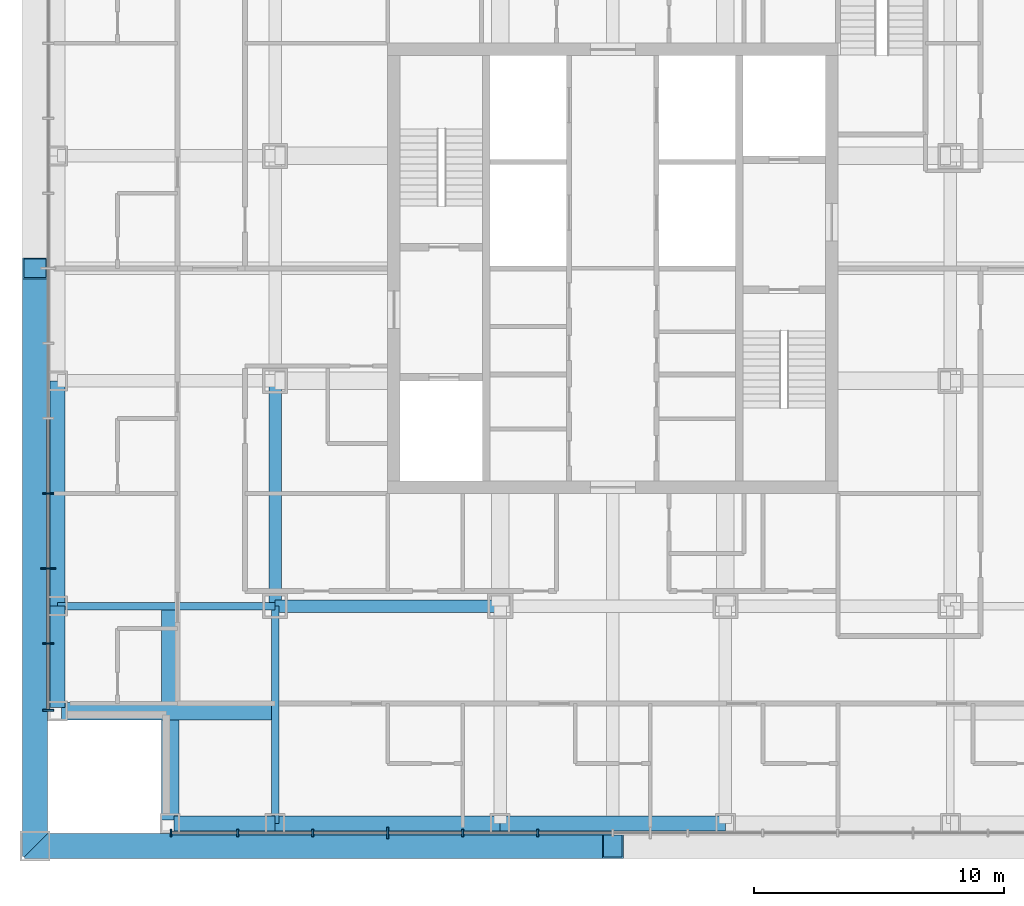
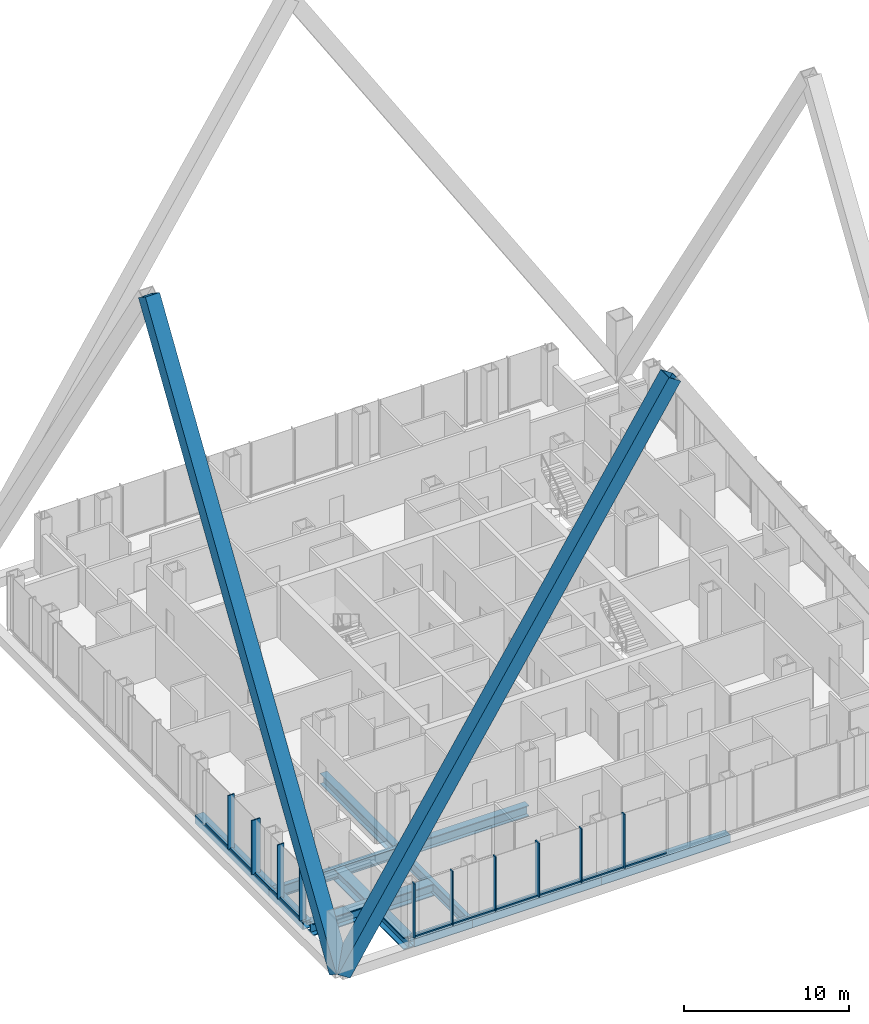
# One storey, part 2 of 16: 22 members, 11 beams, 2 elements without a shape of their own.
"""IFC4 building model written with IfcOpenShell, lengths in metres."""

from ifc_helpers import new_model, si_unit, direction, frame, origin, origin_2d, place, context, subcontext, project, spatial, rectangle, hollow_rectangle, i_section, extrude, material, layer, layer_set, material_profile, profile_set, type_object, element, aggregate, save


model = new_model("IFC4")

# Units and contexts
model_context = context("Model", 3, precision=1e-05, world=origin(), true_north=direction((0.0, 1.0)))
body_context = subcontext(model_context, "Body", "Model", "MODEL_VIEW")
ifc_project = project(units=[si_unit("LENGTHUNIT", "METRE"), si_unit("AREAUNIT", "SQUARE_METRE"), si_unit("VOLUMEUNIT", "CUBIC_METRE"), si_unit("PLANEANGLEUNIT", "RADIAN"), si_unit("MASSUNIT", "GRAM", prefix="KILO")], contexts=[model_context])

# Site, building, storey
site_placement = place(None, origin())
site = spatial("IfcSite", under=ifc_project, at=site_placement, CompositionType="ELEMENT")
building_placement = place(site_placement, origin())
building = spatial("IfcBuilding", under=site, at=building_placement, Name="Malebo Sky Hospital", CompositionType="ELEMENT")
storey_placement = place(building_placement, frame((0.0, 0.0, 209.0)))
storey = spatial("IfcBuildingStorey", under=building, at=storey_placement, Name="L50", CompositionType="ELEMENT", Elevation=209.0)

# Curtain wall, members
ifc_material_1 = material(Name="Anodised aluminium, natural silver", Category="aluminium")
ifc_layer_1 = layer(ifc_material_1, 0.25)
ifc_layer_set_1 = layer_set([ifc_layer_1], Name="WARD CURTAIN WALL EAST AND WEST")
curtain_wall_type_1 = type_object("IfcCurtainWallType", Name="WARD CURTAIN WALL EAST AND WEST", PredefinedType="NOTDEFINED", material=ifc_layer_set_1)
curtain_wall_1_placement = place(storey_placement, origin())
curtain_wall_1 = element("IfcCurtainWall", 1, at=curtain_wall_1_placement, inside=storey, type_object=curtain_wall_type_1, Name="EW curtain wall W", PredefinedType="NOTDEFINED")
ifc_material_profile_1 = material_profile(ifc_material_1, rectangle(XDim=0.14990234375, YDim=0.10009765625, at=origin_2d()), Name="ALUMINIUM TRANSOM 150x100")
ifc_profile_set_1 = profile_set([ifc_material_profile_1], Name="Anodised aluminium, natural silver")
member_type_1 = type_object("IfcMemberType", Name="ALUMINIUM TRANSOM 150x100", PredefinedType="USERDEFINED", material=ifc_profile_set_1)
member_1_placement = place(storey_placement, frame((37.425048828125, 44.375, 0.050048828125), z_axis=(0.0, 1.0, 0.0), x_axis=(-1.0, 0.0, 0.0)))
member_1 = element("IfcMember", 2, at=member_1_placement, type_object=member_type_1, Name="Transom 1", ObjectType="TRANSOM", PredefinedType="USERDEFINED", context=body_context, shape_type="SweptSolid", body=[
    extrude(rectangle(XDim=0.14990234375, YDim=0.10009765625, at=origin_2d()), origin(), (0.0, 0.0, 1.0), 2.58740234375),
])
member_2_placement = place(storey_placement, frame((37.425048828125, 47.03759765625, 0.050048828125), z_axis=(0.0, 1.0, 0.0), x_axis=(-1.0, 0.0, 0.0)))
member_2 = element("IfcMember", 3, at=member_2_placement, type_object=member_type_1, Name="Transom 2", ObjectType="TRANSOM", PredefinedType="USERDEFINED", context=body_context, shape_type="SweptSolid", body=[
    extrude(rectangle(XDim=0.14990234375, YDim=0.10009765625, at=origin_2d()), origin(), (0.0, 0.0, 1.0), 2.9248046875),
])
member_3_placement = place(storey_placement, frame((37.425048828125, 50.03759765625, 0.050048828125), z_axis=(0.0, 1.0, 0.0), x_axis=(-1.0, 0.0, 0.0)))
member_3 = element("IfcMember", 4, at=member_3_placement, type_object=member_type_1, Name="Transom 3", ObjectType="TRANSOM", PredefinedType="USERDEFINED", context=body_context, shape_type="SweptSolid", body=[
    extrude(rectangle(XDim=0.14990234375, YDim=0.10009765625, at=origin_2d()), origin(), (0.0, 0.0, 1.0), 2.9248046875),
])
member_4_placement = place(storey_placement, frame((37.425048828125, 53.03759765625, 0.050048828125), z_axis=(0.0, 1.0, 0.0), x_axis=(-1.0, 0.0, 0.0)))
member_4 = element("IfcMember", 5, at=member_4_placement, type_object=member_type_1, Name="Transom 4", ObjectType="TRANSOM", PredefinedType="USERDEFINED", context=body_context, shape_type="SweptSolid", body=[
    extrude(rectangle(XDim=0.14990234375, YDim=0.10009765625, at=origin_2d()), origin(), (0.0, 0.0, 1.0), 2.9248046875),
])

ifc_layer_2 = layer(ifc_material_1, 0.25)
ifc_layer_set_2 = layer_set([ifc_layer_2], Name="WARD CURTAIN WALL NORTH AND SOUTH")
curtain_wall_type_2 = type_object("IfcCurtainWallType", Name="WARD CURTAIN WALL NORTH AND SOUTH", PredefinedType="NOTDEFINED", material=ifc_layer_set_2)
curtain_wall_2_placement = place(storey_placement, origin())
curtain_wall_2 = element("IfcCurtainWall", 6, at=curtain_wall_2_placement, inside=storey, type_object=curtain_wall_type_2, Name="NS curtain wall S", PredefinedType="NOTDEFINED")
member_5_placement = place(storey_placement, frame((59.96240234375, 39.425048828125, 0.050048828125), z_axis=(-1.0, 0.0, 0.0), x_axis=(0.0, -1.0, 0.0)))
member_5 = element("IfcMember", 7, at=member_5_placement, type_object=member_type_1, Name="Transom 8", ObjectType="TRANSOM", PredefinedType="USERDEFINED", context=body_context, shape_type="SweptSolid", body=[
    extrude(rectangle(XDim=0.14990234375, YDim=0.10009765625, at=origin_2d()), origin(), (0.0, 0.0, 1.0), 2.9248046875),
])
member_6_placement = place(storey_placement, frame((56.96240234375, 39.425048828125, 0.050048828125), z_axis=(-1.0, 0.0, 0.0), x_axis=(0.0, -1.0, 0.0)))
member_6 = element("IfcMember", 8, at=member_6_placement, type_object=member_type_1, Name="Transom 9", ObjectType="TRANSOM", PredefinedType="USERDEFINED", context=body_context, shape_type="SweptSolid", body=[
    extrude(rectangle(XDim=0.14990234375, YDim=0.10009765625, at=origin_2d()), origin(), (0.0, 0.0, 1.0), 2.9248046875),
])
member_7_placement = place(storey_placement, frame((53.96240234375, 39.425048828125, 0.050048828125), z_axis=(-1.0, 0.0, 0.0), x_axis=(0.0, -1.0, 0.0)))
member_7 = element("IfcMember", 9, at=member_7_placement, type_object=member_type_1, Name="Transom 10", ObjectType="TRANSOM", PredefinedType="USERDEFINED", context=body_context, shape_type="SweptSolid", body=[
    extrude(rectangle(XDim=0.14990234375, YDim=0.10009765625, at=origin_2d()), origin(), (0.0, 0.0, 1.0), 2.9248046875),
])
member_8_placement = place(storey_placement, frame((50.96240234375, 39.425048828125, 0.050048828125), z_axis=(-1.0, 0.0, 0.0), x_axis=(0.0, -1.0, 0.0)))
member_8 = element("IfcMember", 10, at=member_8_placement, type_object=member_type_1, Name="Transom 11", ObjectType="TRANSOM", PredefinedType="USERDEFINED", context=body_context, shape_type="SweptSolid", body=[
    extrude(rectangle(XDim=0.14990234375, YDim=0.10009765625, at=origin_2d()), origin(), (0.0, 0.0, 1.0), 2.9248046875),
])
member_9_placement = place(storey_placement, frame((47.96240234375, 39.425048828125, 0.050048828125), z_axis=(-1.0, 0.0, 0.0), x_axis=(0.0, -1.0, 0.0)))
member_9 = element("IfcMember", 11, at=member_9_placement, type_object=member_type_1, Name="Transom 12", ObjectType="TRANSOM", PredefinedType="USERDEFINED", context=body_context, shape_type="SweptSolid", body=[
    extrude(rectangle(XDim=0.14990234375, YDim=0.10009765625, at=origin_2d()), origin(), (0.0, 0.0, 1.0), 2.9248046875),
])
member_10_placement = place(storey_placement, frame((44.96240234375, 39.425048828125, 0.050048828125), z_axis=(-1.0, 0.0, 0.0), x_axis=(0.0, -1.0, 0.0)))
member_10 = element("IfcMember", 12, at=member_10_placement, type_object=member_type_1, Name="Transom 13", ObjectType="TRANSOM", PredefinedType="USERDEFINED", context=body_context, shape_type="SweptSolid", body=[
    extrude(rectangle(XDim=0.14990234375, YDim=0.10009765625, at=origin_2d()), origin(), (0.0, 0.0, 1.0), 2.58740234375),
])
ifc_material_profile_2 = material_profile(ifc_material_1, rectangle(XDim=0.074951171875, YDim=0.300048828125, at=origin_2d()), Name="CW1 ALUMINIUM FIN MULLION 75x300")
ifc_profile_set_2 = profile_set([ifc_material_profile_2], Name="Anodised aluminium, natural silver")
member_type_2 = type_object("IfcMemberType", Name="CW1 ALUMINIUM FIN MULLION 75x300", PredefinedType="MULLION", material=ifc_profile_set_2)
member_11_placement = place(storey_placement, frame((57.0, 39.425048828125, 0.0), z_axis=(0.0, 0.0, 1.0), x_axis=(-1.0, 0.0, 0.0)))
member_11 = element("IfcMember", 13, at=member_11_placement, type_object=member_type_2, Name="Fin mullion 9", PredefinedType="MULLION", context=body_context, shape_type="SweptSolid", body=[
    extrude(rectangle(XDim=0.074951171875, YDim=0.300048828125, at=origin_2d()), origin(), (0.0, 0.0, 1.0), 4.0),
])
member_12_placement = place(storey_placement, frame((54.0, 39.425048828125, 0.0), z_axis=(0.0, 0.0, 1.0), x_axis=(-1.0, 0.0, 0.0)))
member_12 = element("IfcMember", 14, at=member_12_placement, type_object=member_type_2, Name="Fin mullion 10", PredefinedType="MULLION", context=body_context, shape_type="SweptSolid", body=[
    extrude(rectangle(XDim=0.074951171875, YDim=0.300048828125, at=origin_2d()), origin(), (0.0, 0.0, 1.0), 4.0),
])
member_13_placement = place(storey_placement, frame((48.0, 39.425048828125, 0.0), z_axis=(0.0, 0.0, 1.0), x_axis=(-1.0, 0.0, 0.0)))
member_13 = element("IfcMember", 15, at=member_13_placement, type_object=member_type_2, Name="Fin mullion 12", PredefinedType="MULLION", context=body_context, shape_type="SweptSolid", body=[
    extrude(rectangle(XDim=0.074951171875, YDim=0.300048828125, at=origin_2d()), origin(), (0.0, 0.0, 1.0), 4.0),
])
member_14_placement = place(storey_placement, frame((45.0, 39.425048828125, 0.0), z_axis=(0.0, 0.0, 1.0), x_axis=(-1.0, 0.0, 0.0)))
member_14 = element("IfcMember", 16, at=member_14_placement, type_object=member_type_2, Name="Fin mullion 13", PredefinedType="MULLION", context=body_context, shape_type="SweptSolid", body=[
    extrude(rectangle(XDim=0.074951171875, YDim=0.300048828125, at=origin_2d()), origin(), (0.0, 0.0, 1.0), 4.0),
])
member_15_placement = place(storey_placement, frame((42.33740234375, 39.425048828125, 0.0), z_axis=(0.0, 0.0, 1.0), x_axis=(-1.0, 0.0, 0.0)))
member_15 = element("IfcMember", 17, at=member_15_placement, type_object=member_type_2, Name="Fin mullion 14", PredefinedType="MULLION", context=body_context, shape_type="SweptSolid", body=[
    extrude(rectangle(XDim=0.074951171875, YDim=0.300048828125, at=origin_2d()), origin(), (0.0, 0.0, 1.0), 4.0),
])
ifc_material_profile_3 = material_profile(ifc_material_1, rectangle(XDim=0.074951171875, YDim=0.449951171875, at=origin_2d()), Name="CW1 ALUMINIUM FIN MULLION 75x450")
ifc_profile_set_3 = profile_set([ifc_material_profile_3], Name="Anodised aluminium, natural silver")
member_type_3 = type_object("IfcMemberType", Name="CW1 ALUMINIUM FIN MULLION 75x450", PredefinedType="MULLION", material=ifc_profile_set_3)
member_16_placement = place(storey_placement, frame((51.0, 39.425048828125, 0.0), z_axis=(0.0, 0.0, 1.0), x_axis=(-1.0, 0.0, 0.0)))
member_16 = element("IfcMember", 18, at=member_16_placement, type_object=member_type_3, Name="Fin mullion 11", PredefinedType="MULLION", context=body_context, shape_type="SweptSolid", body=[
    extrude(rectangle(XDim=0.074951171875, YDim=0.449951171875, at=origin_2d()), origin(), (0.0, 0.0, 1.0), 4.0),
])
aggregate(curtain_wall_2, [member_11, member_12, member_16, member_13, member_14, member_15, member_5, member_6, member_7, member_8, member_9, member_10])

# Member
ifc_material_profile_4 = material_profile(ifc_material_1, rectangle(XDim=0.074951171875, YDim=0.449951171875, at=origin_2d()), Name="CW2 ALUMINIUM FIN MULLION 75x450")
ifc_profile_set_4 = profile_set([ifc_material_profile_4], Name="Anodised aluminium, natural silver")
member_type_4 = type_object("IfcMemberType", Name="CW2 ALUMINIUM FIN MULLION 75x450", PredefinedType="MULLION", material=ifc_profile_set_4)
member_17_placement = place(storey_placement, frame((37.425048828125, 44.33740234375, 0.0), z_axis=(0.0, 0.0, 1.0), x_axis=(0.0, 1.0, 0.0)))
member_17 = element("IfcMember", 19, at=member_17_placement, type_object=member_type_4, Name="Fin mullion 1", PredefinedType="MULLION", context=body_context, shape_type="SweptSolid", body=[
    extrude(rectangle(XDim=0.074951171875, YDim=0.449951171875, at=origin_2d()), origin(), (0.0, 0.0, 1.0), 4.0),
])

member_18_placement = place(storey_placement, frame((37.425048828125, 47.0, 0.0), z_axis=(0.0, 0.0, 1.0), x_axis=(0.0, 1.0, 0.0)))
member_18 = element("IfcMember", 20, at=member_18_placement, type_object=member_type_4, Name="Fin mullion 2", PredefinedType="MULLION", context=body_context, shape_type="SweptSolid", body=[
    extrude(rectangle(XDim=0.074951171875, YDim=0.449951171875, at=origin_2d()), origin(), (0.0, 0.0, 1.0), 4.0),
])

member_19_placement = place(storey_placement, frame((37.425048828125, 53.0, 0.0), z_axis=(0.0, 0.0, 1.0), x_axis=(0.0, 1.0, 0.0)))
member_19 = element("IfcMember", 21, at=member_19_placement, type_object=member_type_4, Name="Fin mullion 4", PredefinedType="MULLION", context=body_context, shape_type="SweptSolid", body=[
    extrude(rectangle(XDim=0.074951171875, YDim=0.449951171875, at=origin_2d()), origin(), (0.0, 0.0, 1.0), 4.0),
])

ifc_material_profile_5 = material_profile(ifc_material_1, rectangle(XDim=0.074951171875, YDim=0.60009765625, at=origin_2d()), Name="CW2 ALUMINIUM FIN MULLION 75x600")
ifc_profile_set_5 = profile_set([ifc_material_profile_5], Name="Anodised aluminium, natural silver")
member_type_5 = type_object("IfcMemberType", Name="CW2 ALUMINIUM FIN MULLION 75x600", PredefinedType="MULLION", material=ifc_profile_set_5)
member_20_placement = place(storey_placement, frame((37.425048828125, 50.0, 0.0), z_axis=(0.0, 0.0, 1.0), x_axis=(0.0, 1.0, 0.0)))
member_20 = element("IfcMember", 22, at=member_20_placement, type_object=member_type_5, Name="Fin mullion 3", PredefinedType="MULLION", context=body_context, shape_type="SweptSolid", body=[
    extrude(rectangle(XDim=0.074951171875, YDim=0.60009765625, at=origin_2d()), origin(), (0.0, 0.0, 1.0), 4.0),
])

aggregate(curtain_wall_1, [member_17, member_18, member_20, member_19, member_1, member_2, member_3, member_4])

# Beams
ifc_material_2 = material(Name="Steel S460", Category="steel")
ifc_material_profile_6 = material_profile(ifc_material_2, hollow_rectangle(XDim=0.60009765625, YDim=0.60009765625, WallThickness=0.0400390625, at=origin_2d()), Name="BOX 600x600x40")
ifc_profile_set_6 = profile_set([ifc_material_profile_6], Name="Steel S460")
beam_type_1 = type_object("IfcBeamType", Name="EDGE BEAM BOX 600x600x40", PredefinedType="BEAM", material=ifc_profile_set_6)
beam_1_placement = place(storey_placement, frame((37.800048828125, 44.449951171875, -0.550048828125), z_axis=(0.0, 1.0, 0.0), x_axis=(-1.0, 0.0, 0.0)))
element("IfcBeam", 23, at=beam_1_placement, inside=storey, type_object=beam_type_1, Name="Beam 000 L50", PredefinedType="BEAM", context=body_context, shape_type="SweptSolid", body=[
    extrude(hollow_rectangle(XDim=0.60009765625, YDim=0.60009765625, WallThickness=0.0400390625, at=origin_2d()), origin(), (0.0, 0.0, 1.0), 4.050048828125),
])
beam_2_placement = place(storey_placement, frame((37.800048828125, 48.5, -0.550048828125), z_axis=(0.0, 1.0, 0.0), x_axis=(-1.0, 0.0, 0.0)))
element("IfcBeam", 24, at=beam_2_placement, inside=storey, type_object=beam_type_1, Name="Beam 001 L50", PredefinedType="BEAM", context=body_context, shape_type="SweptSolid", body=[
    extrude(hollow_rectangle(XDim=0.60009765625, YDim=0.60009765625, WallThickness=0.0400390625, at=origin_2d()), origin(), (0.0, 0.0, 1.0), 9.0),
])
beam_3_placement = place(storey_placement, frame((42.449951171875, 39.800048828125, -0.550048828125), z_axis=(1.0, 0.0, 0.0), x_axis=(0.0, 1.0, 0.0)))
element("IfcBeam", 25, at=beam_3_placement, inside=storey, type_object=beam_type_1, Name="Beam 034 L50", PredefinedType="BEAM", context=body_context, shape_type="SweptSolid", body=[
    extrude(hollow_rectangle(XDim=0.60009765625, YDim=0.60009765625, WallThickness=0.0400390625, at=origin_2d()), origin(), (0.0, 0.0, 1.0), 4.050048828125),
])
for number, where, z_axis, x_axis, name in (
    (26, (46.5, 39.800048828125, -0.550048828125), (1.0, 0.0, 0.0), (0.0, 1.0, 0.0), "Beam 035 L50"),
    (27, (55.5, 39.800048828125, -0.550048828125), (1.0, 0.0, 0.0), (0.0, 1.0, 0.0), "Beam 036 L50"),
):
    element("IfcBeam", number, at=place(storey_placement, frame(where, z_axis=z_axis, x_axis=x_axis)), inside=storey, type_object=beam_type_1, Name=name, PredefinedType="BEAM", context=body_context, shape_type="SweptSolid", body=[
        extrude(hollow_rectangle(XDim=0.60009765625, YDim=0.60009765625, WallThickness=0.0400390625, at=origin_2d()), origin(), (0.0, 0.0, 1.0), 9.0),
    ])
ifc_material_3 = material(Name="Steel S355", Category="steel")
ifc_material_profile_7 = material_profile(ifc_material_3, i_section(OverallWidth=0.5, OverallDepth=0.800048828125, WebThickness=0.030029296875, FlangeThickness=0.050048828125, at=origin_2d()), Name="PG 800x500x30x50")
ifc_profile_set_7 = profile_set([ifc_material_profile_7], Name="Steel S355")
beam_type_2 = type_object("IfcBeamType", Name="FLOOR BEAM PG 800x500x30x50", PredefinedType="BEAM", material=ifc_profile_set_7)
for number, where, z_axis, x_axis, name in (
    (28, (46.5, 48.5, -0.64990234375), (0.0, 1.0, 0.0), (-1.0, 0.0, 0.0), "Beam 008 L50"),
    (29, (46.5, 48.5, -0.64990234375), (1.0, 0.0, 0.0), (0.0, 1.0, 0.0), "Beam 042 L50"),
):
    element("IfcBeam", number, at=place(storey_placement, frame(where, z_axis=z_axis, x_axis=x_axis)), inside=storey, type_object=beam_type_2, Name=name, PredefinedType="BEAM", context=body_context, shape_type="SweptSolid", body=[
        extrude(i_section(OverallWidth=0.5, OverallDepth=0.800048828125, WebThickness=0.030029296875, FlangeThickness=0.050048828125, at=origin_2d()), origin(), (0.0, 0.0, 1.0), 9.0),
    ])
ifc_material_profile_8 = material_profile(ifc_material_3, i_section(OverallWidth=0.699951171875, OverallDepth=0.89990234375, WebThickness=0.0400390625, FlangeThickness=0.070068359375, at=origin_2d()), Name="PG 900x700x40x70")
ifc_profile_set_8 = profile_set([ifc_material_profile_8], Name="Steel S355")
beam_type_3 = type_object("IfcBeamType", Name="FLOOR BEAM PG 900x700x40x70", PredefinedType="BEAM", material=ifc_profile_set_8)
for number, where, z_axis, x_axis, name in (
    (30, (42.300048828125, 39.949951171875, -0.699951171875), (0.0, 1.0, 0.0), (-1.0, 0.0, 0.0), "Beam 005 L50"),
    (31, (37.949951171875, 44.300048828125, -0.699951171875), (1.0, 0.0, 0.0), (0.0, 1.0, 0.0), "Beam 039 L50"),
):
    element("IfcBeam", number, at=place(storey_placement, frame(where, z_axis=z_axis, x_axis=x_axis)), inside=storey, type_object=beam_type_3, Name=name, PredefinedType="BEAM", context=body_context, shape_type="SweptSolid", body=[
        extrude(i_section(OverallWidth=0.699951171875, OverallDepth=0.89990234375, WebThickness=0.0400390625, FlangeThickness=0.070068359375, at=origin_2d()), origin(), (0.0, 0.0, 1.0), 8.550048828125),
    ])
ifc_material_profile_9 = material_profile(ifc_material_3, i_section(OverallWidth=0.300048828125, OverallDepth=0.800048828125, WebThickness=0.017578125, FlangeThickness=0.032958984375, FilletRadius=0.030029296875, at=origin_2d()), Name="HEB 800")
ifc_profile_set_9 = profile_set([ifc_material_profile_9], Name="Steel S355")
beam_type_4 = type_object("IfcBeamType", Name="FLOOR GIRDER HEB 800", PredefinedType="BEAM", material=ifc_profile_set_9)
for number, where, z_axis, x_axis, name in (
    (32, (46.5, 39.800048828125, -0.64990234375), (0.0, 1.0, 0.0), (-1.0, 0.0, 0.0), "Beam 007 L50"),
    (33, (37.800048828125, 48.5, -0.64990234375), (1.0, 0.0, 0.0), (0.0, 1.0, 0.0), "Beam 041 L50"),
):
    element("IfcBeam", number, at=place(storey_placement, frame(where, z_axis=z_axis, x_axis=x_axis)), inside=storey, type_object=beam_type_4, Name=name, PredefinedType="BEAM", context=body_context, shape_type="SweptSolid", body=[
        extrude(i_section(OverallWidth=0.300048828125, OverallDepth=0.800048828125, WebThickness=0.017578125, FlangeThickness=0.032958984375, FilletRadius=0.030029296875, at=origin_2d()), origin(), (0.0, 0.0, 1.0), 8.699951171875),
    ])

# Members
ifc_material_profile_10 = material_profile(ifc_material_2, hollow_rectangle(XDim=1.0, YDim=1.0, WallThickness=0.06005859375, at=origin_2d()), Name="BOX 1000x1000x60")
ifc_profile_set_10 = profile_set([ifc_material_profile_10], Name="Steel S460")
member_type_6 = type_object("IfcMemberType", Name="MEGA BRACE BOX 1000x1000x60", PredefinedType="BRACE", material=ifc_profile_set_10)
for number, where, z_axis, x_axis, name in (
    (34, (36.89990234375, 38.89990234375, -0.39990234375), (0.540050058877, 0.0, 0.841632897353), (0.0, 1.0, 0.0), "Mega brace C2S1 L50-L59"),
    (35, (36.89990234375, 38.89990234375, -0.39990234375), (0.0, 0.540050058877, 0.841632897353), (-1.0, 0.0, 0.0), "Mega brace C2W2 L50-L59"),
):
    element("IfcMember", number, at=place(storey_placement, frame(where, z_axis=z_axis, x_axis=x_axis)), inside=storey, type_object=member_type_6, Name=name, PredefinedType="BRACE", context=body_context, shape_type="SweptSolid", body=[
        extrude(hollow_rectangle(XDim=1.0, YDim=1.0, WallThickness=0.06005859375, at=origin_2d()), origin(), (0.0, 0.0, 1.0), 42.77392578125),
    ])

save(model, "model.ifc")
